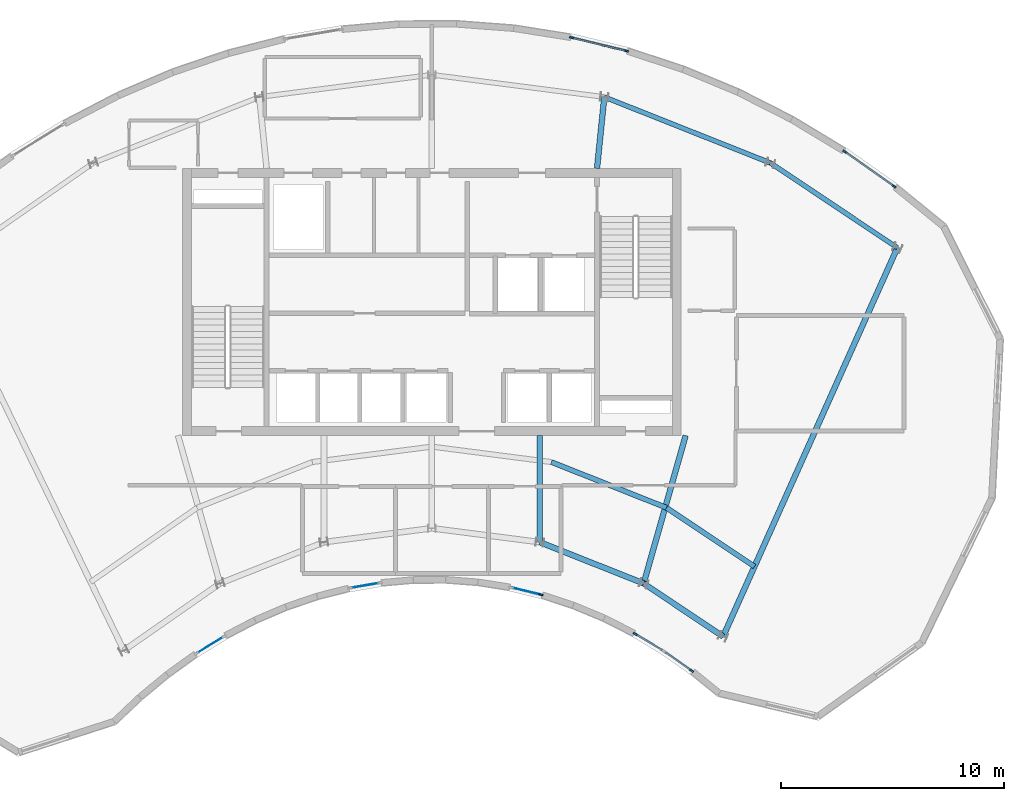
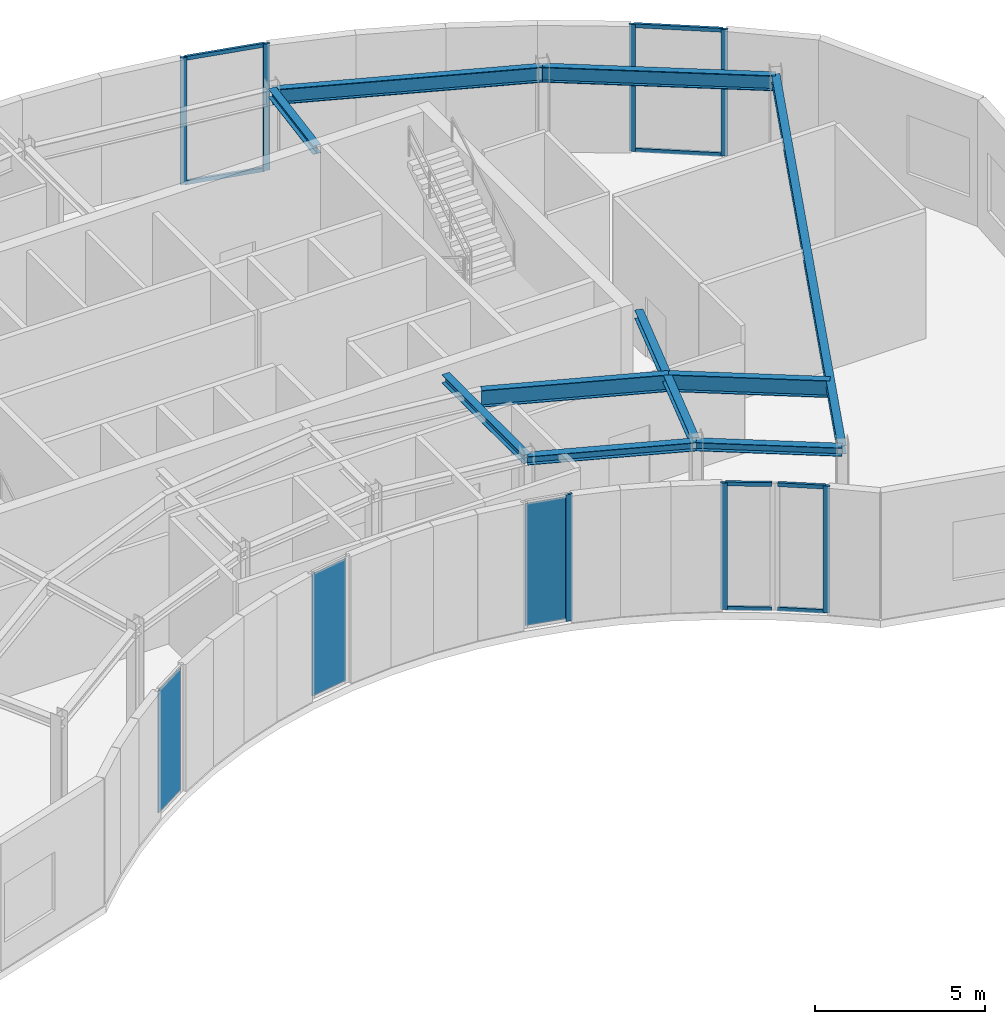
# One storey, part 4 of 10: 15 members, 10 beams, 3 plates, 7 elements without a shape of their own.
"""IFC4 building model written with IfcOpenShell, lengths in metres."""

from ifc_helpers import new_model, si_unit, direction, frame, origin, origin_2d, place, context, subcontext, project, spatial, rectangle, i_section, extrude, source, transform, mapped, material, layer, layer_set, material_profile, profile_set, type_object, element, aggregate, save


model = new_model("IFC4")

# Units and contexts
model_context = context("Model", 3, precision=1e-05, world=origin(), true_north=direction((0.0, 1.0)))
body_context = subcontext(model_context, "Body", "Model", "MODEL_VIEW")
ifc_project = project(units=[si_unit("LENGTHUNIT", "METRE"), si_unit("AREAUNIT", "SQUARE_METRE"), si_unit("VOLUMEUNIT", "CUBIC_METRE"), si_unit("PLANEANGLEUNIT", "RADIAN"), si_unit("MASSUNIT", "GRAM", prefix="KILO")], contexts=[model_context])

# Site, building, storey
site_placement = place(None, origin())
site = spatial("IfcSite", under=ifc_project, at=site_placement, CompositionType="ELEMENT")
building_placement = place(site_placement, origin())
building = spatial("IfcBuilding", under=site, at=building_placement, Name="Breltana Convention Tower", CompositionType="ELEMENT")
storey_placement = place(building_placement, frame((0.0, 0.0, 303.0)))
storey = spatial("IfcBuildingStorey", under=building, at=storey_placement, Name="L74", CompositionType="ELEMENT", Elevation=303.0)

# Beams
ifc_material_1 = material(Name="Steel ASTM A992 Grade 50", Category="steel")
ifc_material_profile_1 = material_profile(ifc_material_1, i_section(OverallWidth=0.214111328125, OverallDepth=0.549072265625, WebThickness=0.0146484375, FlangeThickness=0.023681640625, at=origin_2d()), Name="W21X93")
ifc_profile_set_1 = profile_set([ifc_material_profile_1], Name="Steel ASTM A992 Grade 50")
beam_type_1 = type_object("IfcBeamType", Name="BM-SP-W21X93", PredefinedType="SPANDREL", material=ifc_profile_set_1)
shared_shape_1 = source(origin(), body_context, "Body", "SweptSolid", [
    extrude(i_section(OverallWidth=0.214111328125, OverallDepth=0.549072265625, WebThickness=0.0146484375, FlangeThickness=0.023681640625, at=origin_2d()), origin(), (0.0, 0.0, 1.0), 8.028564453125),
])
beam_1_placement = place(storey_placement, frame((55.746826171875, 75.404296875, 4.265380859375), z_axis=(0.929459100394, -0.368925169507, 0.0), x_axis=(0.368925169507, 0.929459100394, 0.0)))
element("IfcBeam", 1, at=beam_1_placement, inside=storey, type_object=beam_type_1, Name="L74 Outer Spandrel Beam 07", PredefinedType="SPANDREL", context=body_context, shape_type="MappedRepresentation", body=[
    mapped(shared_shape_1, transform((0.0, 0.0, 0.0), scale=1.0)),
])
shared_shape_2 = source(origin(), body_context, "Body", "SweptSolid", [
    extrude(i_section(OverallWidth=0.214111328125, OverallDepth=0.549072265625, WebThickness=0.0146484375, FlangeThickness=0.023681640625, at=origin_2d()), origin(), (0.0, 0.0, 1.0), 6.856689453125),
])
beam_2_placement = place(storey_placement, frame((63.208984375, 72.4423828125, 4.265380859375), z_axis=(0.83150210718, -0.55552159792, 0.0), x_axis=(0.55552159792, 0.83150210718, 0.0)))
element("IfcBeam", 2, at=beam_2_placement, inside=storey, type_object=beam_type_1, Name="L74 Outer Spandrel Beam 08", PredefinedType="SPANDREL", context=body_context, shape_type="MappedRepresentation", body=[
    mapped(shared_shape_2, transform((0.0, 0.0, 0.0), scale=1.0)),
])
ifc_material_profile_2 = material_profile(ifc_material_1, i_section(OverallWidth=0.25390625, OverallDepth=0.305908203125, WebThickness=0.0087890625, FlangeThickness=0.0146484375, at=origin_2d()), Name="W12X53")
ifc_profile_set_2 = profile_set([ifc_material_profile_2], Name="Steel ASTM A992 Grade 50")
beam_type_2 = type_object("IfcBeamType", Name="BM-CN-W12X53", PredefinedType="BEAM", material=ifc_profile_set_2)
shared_shape_3 = source(origin(), body_context, "Body", "SweptSolid", [
    extrude(i_section(OverallWidth=0.25390625, OverallDepth=0.305908203125, WebThickness=0.0087890625, FlangeThickness=0.0146484375, at=origin_2d()), origin(), (0.0, 0.0, 1.0), 6.904541015625),
])
beam_3_placement = place(storey_placement, frame((59.39990234375, 60.199951171875, 4.386962890625), z_axis=(-0.273006781054, -0.962012108811, 0.0), x_axis=(0.962012108811, -0.273006781054, 0.0)))
element("IfcBeam", 3, at=beam_3_placement, inside=storey, type_object=beam_type_2, Name="L74 South Core Tie Girder R08", PredefinedType="BEAM", context=body_context, shape_type="MappedRepresentation", body=[
    mapped(shared_shape_3, transform((0.0, 0.0, 0.0), scale=1.0)),
])
shared_shape_4 = source(origin(), body_context, "Body", "SweptSolid", [
    extrude(i_section(OverallWidth=0.25390625, OverallDepth=0.305908203125, WebThickness=0.0087890625, FlangeThickness=0.0146484375, at=origin_2d()), origin(), (0.0, 0.0, 1.0), 4.789306640625),
])
beam_4_placement = place(storey_placement, frame((52.846435546875, 60.199951171875, 4.386962890625), z_axis=(0.0, -1.0, 0.0), x_axis=(1.0, 0.0, 0.0)))
element("IfcBeam", 4, at=beam_4_placement, inside=storey, type_object=beam_type_2, Name="L74 South Core Tie Girder R07", PredefinedType="BEAM", context=body_context, shape_type="MappedRepresentation", body=[
    mapped(shared_shape_4, transform((0.0, 0.0, 0.0), scale=1.0)),
])
shared_shape_5 = source(origin(), body_context, "Body", "SweptSolid", [
    extrude(i_section(OverallWidth=0.25390625, OverallDepth=0.305908203125, WebThickness=0.0087890625, FlangeThickness=0.0146484375, at=origin_2d()), origin(), (0.0, 0.0, 1.0), 3.220947265625),
])
beam_5_placement = place(storey_placement, frame((55.419921875, 72.199951171875, 4.386962890625), z_axis=(0.101492254858, 0.994836329355, 0.0), x_axis=(-0.994836329355, 0.101492254858, 0.0)))
element("IfcBeam", 5, at=beam_5_placement, inside=storey, type_object=beam_type_2, Name="L74 North Core Radial Girder R07", PredefinedType="BEAM", context=body_context, shape_type="MappedRepresentation", body=[
    mapped(shared_shape_5, transform((0.0, 0.0, 0.0), scale=1.0)),
])
shared_shape_6 = source(origin(), body_context, "Body", "SweptSolid", [
    extrude(i_section(OverallWidth=0.25390625, OverallDepth=0.305908203125, WebThickness=0.0087890625, FlangeThickness=0.0146484375, at=origin_2d()), origin(), (0.0, 0.0, 1.0), 19.133544921875),
])
beam_6_placement = place(storey_placement, frame((61.08203125, 51.174560546875, 4.386962890625), z_axis=(0.409144564164, 0.912469575172, 0.0), x_axis=(-0.912469575172, 0.409144564164, 0.0)))
element("IfcBeam", 6, at=beam_6_placement, inside=storey, type_object=beam_type_2, Name="L74 Radial Floor Girder R09", PredefinedType="BEAM", context=body_context, shape_type="MappedRepresentation", body=[
    mapped(shared_shape_6, transform((0.0, 0.0, 0.0), scale=1.0)),
])
shared_shape_7 = source(origin(), body_context, "Body", "SweptSolid", [
    extrude(i_section(OverallWidth=0.25390625, OverallDepth=0.305908203125, WebThickness=0.0087890625, FlangeThickness=0.0146484375, at=origin_2d()), origin(), (0.0, 0.0, 1.0), 5.022705078125),
])
beam_7_placement = place(storey_placement, frame((52.846435546875, 55.41064453125, 4.386962890625), z_axis=(0.929458966248, -0.368925507469, 0.0), x_axis=(0.368925507469, 0.929458966248, 0.0)))
element("IfcBeam", 7, at=beam_7_placement, inside=storey, type_object=beam_type_2, Name="L74 Inner Ring Beam 07", PredefinedType="BEAM", context=body_context, shape_type="MappedRepresentation", body=[
    mapped(shared_shape_7, transform((0.0, 0.0, 0.0), scale=1.0)),
])
shared_shape_8 = source(origin(), body_context, "Body", "SweptSolid", [
    extrude(i_section(OverallWidth=0.25390625, OverallDepth=0.305908203125, WebThickness=0.0087890625, FlangeThickness=0.0146484375, at=origin_2d()), origin(), (0.0, 0.0, 1.0), 4.2900390625),
])
beam_8_placement = place(storey_placement, frame((57.514892578125, 53.5576171875, 4.386962890625), z_axis=(0.831515827753, -0.555501060482, 0.0), x_axis=(0.555501060482, 0.831515827753, 0.0)))
element("IfcBeam", 8, at=beam_8_placement, inside=storey, type_object=beam_type_2, Name="L74 Inner Ring Beam 08", PredefinedType="BEAM", context=body_context, shape_type="MappedRepresentation", body=[
    mapped(shared_shape_8, transform((0.0, 0.0, 0.0), scale=1.0)),
])
ifc_material_profile_3 = material_profile(ifc_material_1, i_section(OverallWidth=0.22802734375, OverallDepth=0.60791015625, WebThickness=0.01123046875, FlangeThickness=0.017333984375, at=origin_2d()), Name="W24X76")
ifc_profile_set_3 = profile_set([ifc_material_profile_3], Name="Steel ASTM A992 Grade 50")
beam_type_3 = type_object("IfcBeamType", Name="BM-JSG-02", PredefinedType="JOIST", material=ifc_profile_set_3)
shared_shape_9 = source(origin(), body_context, "Body", "SweptSolid", [
    extrude(i_section(OverallWidth=0.22802734375, OverallDepth=0.60791015625, WebThickness=0.01123046875, FlangeThickness=0.017333984375, at=origin_2d()), origin(), (0.0, 0.0, 1.0), 5.563720703125),
])
beam_9_placement = place(storey_placement, frame((53.36865234375, 59.009521484375, 4.236083984375), z_axis=(0.929447960386, -0.368953234074, 0.0), x_axis=(0.368953234074, 0.929447960386, 0.0)))
element("IfcBeam", 9, at=beam_9_placement, inside=storey, type_object=beam_type_3, Name="L74 Composite Floor Joist 07.1", PredefinedType="JOIST", context=body_context, shape_type="MappedRepresentation", body=[
    mapped(shared_shape_9, transform((0.0, 0.0, 0.0), scale=1.0)),
])
shared_shape_10 = source(origin(), body_context, "Body", "SweptSolid", [
    extrude(i_section(OverallWidth=0.22802734375, OverallDepth=0.60791015625, WebThickness=0.01123046875, FlangeThickness=0.017333984375, at=origin_2d()), origin(), (0.0, 0.0, 1.0), 4.751953125),
])
beam_10_placement = place(storey_placement, frame((58.539794921875, 56.956787109375, 4.236083984375), z_axis=(0.831528257555, -0.555482454167, 0.0), x_axis=(0.555482454167, 0.831528257555, 0.0)))
element("IfcBeam", 10, at=beam_10_placement, inside=storey, type_object=beam_type_3, Name="L74 Composite Floor Joist 08.1", PredefinedType="JOIST", context=body_context, shape_type="MappedRepresentation", body=[
    mapped(shared_shape_10, transform((0.0, 0.0, 0.0), scale=1.0)),
])

# Curtain wall, member
ifc_material_2 = material(Name="Aluminium Anodised Bronze Frame", Category="aluminium")
ifc_layer_1 = layer(ifc_material_2, 0.18994140625, Name="Aluminium Anodised Bronze Frame")
ifc_layer_set_1 = layer_set([ifc_layer_1], Name="Aluminium Anodised Bronze Frame")
curtain_wall_type_1 = type_object("IfcCurtainWallType", Name="CW-SYS-1", PredefinedType="NOTDEFINED", material=ifc_layer_set_1)
curtain_wall_1_placement = place(storey_placement, origin())
curtain_wall_1 = element("IfcCurtainWall", 11, at=curtain_wall_1_placement, inside=storey, type_object=curtain_wall_type_1, Name="L74 inner south-court glazing 1", PredefinedType="NOTDEFINED")
ifc_material_3 = material(Name="Aluminium Anodised Bronze", Category="aluminium")
ifc_material_profile_4 = material_profile(ifc_material_3, rectangle(XDim=0.080078125, YDim=0.199951171875, at=origin_2d()), Name="CWM-80X200")
ifc_profile_set_4 = profile_set([ifc_material_profile_4], Name="Aluminium Anodised Bronze")
member_type_1 = type_object("IfcMemberType", Name="CWM-200", PredefinedType="MULLION", material=ifc_profile_set_4)
shared_shape_11 = source(origin(), body_context, "Body", "SweptSolid", [
    extrude(rectangle(XDim=0.080078125, YDim=0.199951171875, at=origin_2d()), origin(), (0.0, 0.0, 1.0), 4.5400390625),
])
member_1_placement = place(storey_placement, frame((59.667724609375, 49.635986328125, 0.0), z_axis=(0.0, 0.0, 1.0), x_axis=(-0.576173895534, -0.817327132857, 0.0)))
member_1 = element("IfcMember", 12, at=member_1_placement, type_object=member_type_1, Name="CW-01 mullion 1", PredefinedType="MULLION", context=body_context, shape_type="MappedRepresentation", body=[
    mapped(shared_shape_11, transform((0.0, 0.0, 0.0), scale=1.0)),
])

curtain_wall_2_placement = place(storey_placement, origin())
curtain_wall_2 = element("IfcCurtainWall", 13, at=curtain_wall_2_placement, inside=storey, type_object=curtain_wall_type_1, Name="L74 inner south-court glazing 2", PredefinedType="NOTDEFINED")
member_2_placement = place(storey_placement, frame((57.139404296875, 51.288330078125, 0.0), z_axis=(0.0, 0.0, 1.0), x_axis=(-0.516826673654, -0.856090059164, 0.0)))
member_2 = element("IfcMember", 14, at=member_2_placement, type_object=member_type_1, Name="CW-01 mullion 2", PredefinedType="MULLION", context=body_context, shape_type="MappedRepresentation", body=[
    mapped(shared_shape_11, transform((0.0, 0.0, 0.0), scale=1.0)),
])

curtain_wall_3_placement = place(storey_placement, origin())
curtain_wall_3 = element("IfcCurtainWall", 15, at=curtain_wall_3_placement, inside=storey, type_object=curtain_wall_type_1, Name="L74 inner south-court glazing 3", PredefinedType="NOTDEFINED")
member_3_placement = place(storey_placement, frame((52.89990234375, 53.0517578125, 0.0), z_axis=(0.0, 0.0, 1.0), x_axis=(-0.235517485062, -0.97187011181, 0.0)))
member_3 = element("IfcMember", 16, at=member_3_placement, type_object=member_type_1, Name="CW-01 mullion 1", PredefinedType="MULLION", context=body_context, shape_type="MappedRepresentation", body=[
    mapped(shared_shape_11, transform((0.0, 0.0, 0.0), scale=1.0)),
])

# Curtain wall, members
ifc_layer_2 = layer(ifc_material_2, 0.239990234375, Name="Aluminium Anodised Bronze Frame")
ifc_layer_set_2 = layer_set([ifc_layer_2], Name="Aluminium Anodised Bronze Frame")
curtain_wall_type_2 = type_object("IfcCurtainWallType", Name="CW-SYS-6", PredefinedType="NOTDEFINED", material=ifc_layer_set_2)
curtain_wall_4_placement = place(storey_placement, origin())
curtain_wall_4 = element("IfcCurtainWall", 17, at=curtain_wall_4_placement, inside=storey, type_object=curtain_wall_type_2, Name="L74 outer double-skin inner glazing 4", PredefinedType="NOTDEFINED")
member_4_placement = place(storey_placement, frame((54.278076171875, 78.072265625, 0.0), z_axis=(0.0, 0.0, 1.0), x_axis=(0.235517807109, 0.971870033767, 0.0)))
member_4 = element("IfcMember", 18, at=member_4_placement, type_object=member_type_1, Name="CW-06 mullion 1", PredefinedType="MULLION", context=body_context, shape_type="MappedRepresentation", body=[
    mapped(shared_shape_11, transform((0.0, 0.0, 0.0), scale=1.0)),
])
member_5_placement = place(storey_placement, frame((56.73779296875, 77.47607421875, 0.0), z_axis=(0.0, 0.0, 1.0), x_axis=(0.235517807109, 0.971870033767, 0.0)))
member_5 = element("IfcMember", 19, at=member_5_placement, type_object=member_type_1, Name="CW-06 mullion 2", PredefinedType="MULLION", context=body_context, shape_type="MappedRepresentation", body=[
    mapped(shared_shape_11, transform((0.0, 0.0, 0.0), scale=1.0)),
])

curtain_wall_5_placement = place(storey_placement, origin())
curtain_wall_5 = element("IfcCurtainWall", 20, at=curtain_wall_5_placement, inside=storey, type_object=curtain_wall_type_2, Name="L74 outer double-skin inner glazing 5", PredefinedType="NOTDEFINED")
member_6_placement = place(storey_placement, frame((66.543212890625, 72.9521484375, 0.0), z_axis=(0.0, 0.0, 1.0), x_axis=(0.576234994683, 0.817284057658, 0.0)))
member_6 = element("IfcMember", 21, at=member_6_placement, type_object=member_type_1, Name="CW-06 mullion 1", PredefinedType="MULLION", context=body_context, shape_type="MappedRepresentation", body=[
    mapped(shared_shape_11, transform((0.0, 0.0, 0.0), scale=1.0)),
])
member_7_placement = place(storey_placement, frame((68.761962890625, 71.387939453125, 0.0), z_axis=(0.0, 0.0, 1.0), x_axis=(0.576234994683, 0.817284057658, 0.0)))
member_7 = element("IfcMember", 22, at=member_7_placement, type_object=member_type_1, Name="CW-06 mullion 2", PredefinedType="MULLION", context=body_context, shape_type="MappedRepresentation", body=[
    mapped(shared_shape_11, transform((0.0, 0.0, 0.0), scale=1.0)),
])

# Member
ifc_material_profile_5 = material_profile(ifc_material_3, rectangle(XDim=0.080078125, YDim=0.139892578125, at=origin_2d()), Name="CWT-80X140")
ifc_profile_set_5 = profile_set([ifc_material_profile_5], Name="Aluminium Anodised Bronze")
member_type_2 = type_object("IfcMemberType", Name="CWT-140", PredefinedType="USERDEFINED", material=ifc_profile_set_5)
shared_shape_12 = source(origin(), body_context, "Body", "SweptSolid", [
    extrude(rectangle(XDim=0.080078125, YDim=0.139892578125, at=origin_2d()), origin(), (0.0, 0.0, 1.0), 1.3974609375),
])
member_8_placement = place(storey_placement, frame((59.635009765625, 49.658935546875, 0.0400390625), z_axis=(-0.817364650956, 0.576120670838, 0.0), x_axis=(-0.576120670838, -0.817364650956, 0.0)))
member_8 = element("IfcMember", 23, at=member_8_placement, type_object=member_type_2, Name="CW-01 transom 1.1", ObjectType="TRANSOM", PredefinedType="USERDEFINED", context=body_context, shape_type="MappedRepresentation", body=[
    mapped(shared_shape_12, transform((0.0, 0.0, 0.0), scale=1.0)),
])

member_9_placement = place(storey_placement, frame((59.635009765625, 49.658935546875, 4.5), z_axis=(-0.817364650956, 0.576120670838, 0.0), x_axis=(-0.576120670838, -0.817364650956, 0.0)))
member_9 = element("IfcMember", 24, at=member_9_placement, type_object=member_type_2, Name="CW-01 transom 1.2", ObjectType="TRANSOM", PredefinedType="USERDEFINED", context=body_context, shape_type="MappedRepresentation", body=[
    mapped(shared_shape_12, transform((0.0, 0.0, 0.0), scale=1.0)),
])

aggregate(curtain_wall_1, [member_1, member_8, member_9])

shared_shape_13 = source(origin(), body_context, "Body", "SweptSolid", [
    extrude(rectangle(XDim=0.080078125, YDim=0.139892578125, at=origin_2d()), origin(), (0.0, 0.0, 1.0), 1.3720703125),
])
member_10_placement = place(storey_placement, frame((58.34814453125, 50.55859375, 0.0400390625), z_axis=(-0.856123865056, 0.516770672235, 0.0), x_axis=(-0.516770672235, -0.856123865056, 0.0)))
member_10 = element("IfcMember", 25, at=member_10_placement, type_object=member_type_2, Name="CW-01 transom 1.1", ObjectType="TRANSOM", PredefinedType="USERDEFINED", context=body_context, shape_type="MappedRepresentation", body=[
    mapped(shared_shape_13, transform((0.0, 0.0, 0.0), scale=1.0)),
])

member_11_placement = place(storey_placement, frame((58.34814453125, 50.55859375, 4.5), z_axis=(-0.856123865056, 0.516770672235, 0.0), x_axis=(-0.516770672235, -0.856123865056, 0.0)))
member_11 = element("IfcMember", 26, at=member_11_placement, type_object=member_type_2, Name="CW-01 transom 1.2", ObjectType="TRANSOM", PredefinedType="USERDEFINED", context=body_context, shape_type="MappedRepresentation", body=[
    mapped(shared_shape_13, transform((0.0, 0.0, 0.0), scale=1.0)),
])

aggregate(curtain_wall_2, [member_2, member_10, member_11])

shared_shape_14 = source(origin(), body_context, "Body", "SweptSolid", [
    extrude(rectangle(XDim=0.080078125, YDim=0.139892578125, at=origin_2d()), origin(), (0.0, 0.0, 1.0), 2.45068359375),
])
member_12_placement = place(storey_placement, frame((54.31689453125, 78.062744140625, 0.0400390625), z_axis=(0.971874983214, -0.235497382156, 0.0), x_axis=(0.235497382156, 0.971874983214, 0.0)))
member_12 = element("IfcMember", 27, at=member_12_placement, type_object=member_type_2, Name="CW-06 transom 1.1", ObjectType="TRANSOM", PredefinedType="USERDEFINED", context=body_context, shape_type="MappedRepresentation", body=[
    mapped(shared_shape_14, transform((0.0, 0.0, 0.0), scale=1.0)),
])

member_13_placement = place(storey_placement, frame((54.31689453125, 78.062744140625, 4.5), z_axis=(0.971874983214, -0.235497382156, 0.0), x_axis=(0.235497382156, 0.971874983214, 0.0)))
member_13 = element("IfcMember", 28, at=member_13_placement, type_object=member_type_2, Name="CW-06 transom 1.2", ObjectType="TRANSOM", PredefinedType="USERDEFINED", context=body_context, shape_type="MappedRepresentation", body=[
    mapped(shared_shape_14, transform((0.0, 0.0, 0.0), scale=1.0)),
])

aggregate(curtain_wall_4, [member_4, member_5, member_12, member_13])

shared_shape_15 = source(origin(), body_context, "Body", "SweptSolid", [
    extrude(rectangle(XDim=0.080078125, YDim=0.139892578125, at=origin_2d()), origin(), (0.0, 0.0, 1.0), 2.635009765625),
])
member_14_placement = place(storey_placement, frame((66.57568359375, 72.92919921875, 0.0400390625), z_axis=(0.817298971099, -0.576213842111, 0.0), x_axis=(0.576213842111, 0.817298971099, 0.0)))
member_14 = element("IfcMember", 29, at=member_14_placement, type_object=member_type_2, Name="CW-06 transom 1.1", ObjectType="TRANSOM", PredefinedType="USERDEFINED", context=body_context, shape_type="MappedRepresentation", body=[
    mapped(shared_shape_15, transform((0.0, 0.0, 0.0), scale=1.0)),
])

member_15_placement = place(storey_placement, frame((66.57568359375, 72.92919921875, 4.5), z_axis=(0.817298971099, -0.576213842111, 0.0), x_axis=(0.576213842111, 0.817298971099, 0.0)))
member_15 = element("IfcMember", 30, at=member_15_placement, type_object=member_type_2, Name="CW-06 transom 1.2", ObjectType="TRANSOM", PredefinedType="USERDEFINED", context=body_context, shape_type="MappedRepresentation", body=[
    mapped(shared_shape_15, transform((0.0, 0.0, 0.0), scale=1.0)),
])

aggregate(curtain_wall_5, [member_6, member_7, member_14, member_15])

# Plate
ifc_material_4 = material(Name="Glass Low-E Double Glazing", Category="glass")
ifc_layer_3 = layer(ifc_material_4, 0.028076171875, Name="Glass Low-E Double Glazing")
ifc_layer_set_3 = layer_set([ifc_layer_3], Name="Glass Low-E Double Glazing")
plate_type = type_object("IfcPlateType", Name="CWP-IGU-28", PredefinedType="CURTAIN_PANEL", material=ifc_layer_set_3)
shared_shape_16 = source(origin(), body_context, "Body", "SweptSolid", [
    extrude(rectangle(XDim=1.29638671875, YDim=0.028076171875, at=origin_2d()), origin(), (0.0, 0.0, 1.0), 4.3798828125),
])
plate_1_placement = place(storey_placement, frame((52.23095703125, 53.2138671875, 0.080078125), z_axis=(0.0, 0.0, 1.0), x_axis=(-0.97187011181, 0.235517485062, 0.0)))
plate_1 = element("IfcPlate", 31, at=plate_1_placement, type_object=plate_type, Name="CW-01 panel 1.1", PredefinedType="CURTAIN_PANEL", context=body_context, shape_type="MappedRepresentation", body=[
    mapped(shared_shape_16, transform((0.0, 0.0, 0.0), scale=1.0)),
])

aggregate(curtain_wall_3, [member_3, plate_1])

# Curtain wall, plate
curtain_wall_6_placement = place(storey_placement, origin())
curtain_wall_6 = element("IfcCurtainWall", 32, at=curtain_wall_6_placement, inside=storey, type_object=curtain_wall_type_1, Name="L74 inner south-court glazing 4", PredefinedType="NOTDEFINED")
shared_shape_17 = source(origin(), body_context, "Body", "SweptSolid", [
    extrude(rectangle(XDim=1.287353515625, YDim=0.028076171875, at=origin_2d()), origin(), (0.0, 0.0, 1.0), 4.3798828125),
])
plate_2_placement = place(storey_placement, frame((44.999267578125, 53.467529296875, 0.080078125), z_axis=(0.0, 0.0, 1.0), x_axis=(-0.985782236223, -0.168027922521, 0.0)))
plate_2 = element("IfcPlate", 33, at=plate_2_placement, type_object=plate_type, Name="CW-01 panel 1.1", PredefinedType="CURTAIN_PANEL", context=body_context, shape_type="MappedRepresentation", body=[
    mapped(shared_shape_17, transform((0.0, 0.0, 0.0), scale=1.0)),
])
aggregate(curtain_wall_6, [plate_2])

curtain_wall_7_placement = place(storey_placement, origin())
curtain_wall_7 = element("IfcCurtainWall", 34, at=curtain_wall_7_placement, inside=storey, type_object=curtain_wall_type_1, Name="L74 inner south-court glazing 5", PredefinedType="NOTDEFINED")
shared_shape_18 = source(origin(), body_context, "Body", "SweptSolid", [
    extrude(rectangle(XDim=1.37548828125, YDim=0.028076171875, at=origin_2d()), origin(), (0.0, 0.0, 1.0), 4.3798828125),
])
plate_3_placement = place(storey_placement, frame((38.050537109375, 50.798095703125, 0.080078125), z_axis=(0.0, 0.0, 1.0), x_axis=(-0.850749179302, -0.525571911271, 0.0)))
plate_3 = element("IfcPlate", 35, at=plate_3_placement, type_object=plate_type, Name="CW-01 panel 1.1", PredefinedType="CURTAIN_PANEL", context=body_context, shape_type="MappedRepresentation", body=[
    mapped(shared_shape_18, transform((0.0, 0.0, 0.0), scale=1.0)),
])
aggregate(curtain_wall_7, [plate_3])

save(model, "model.ifc")
